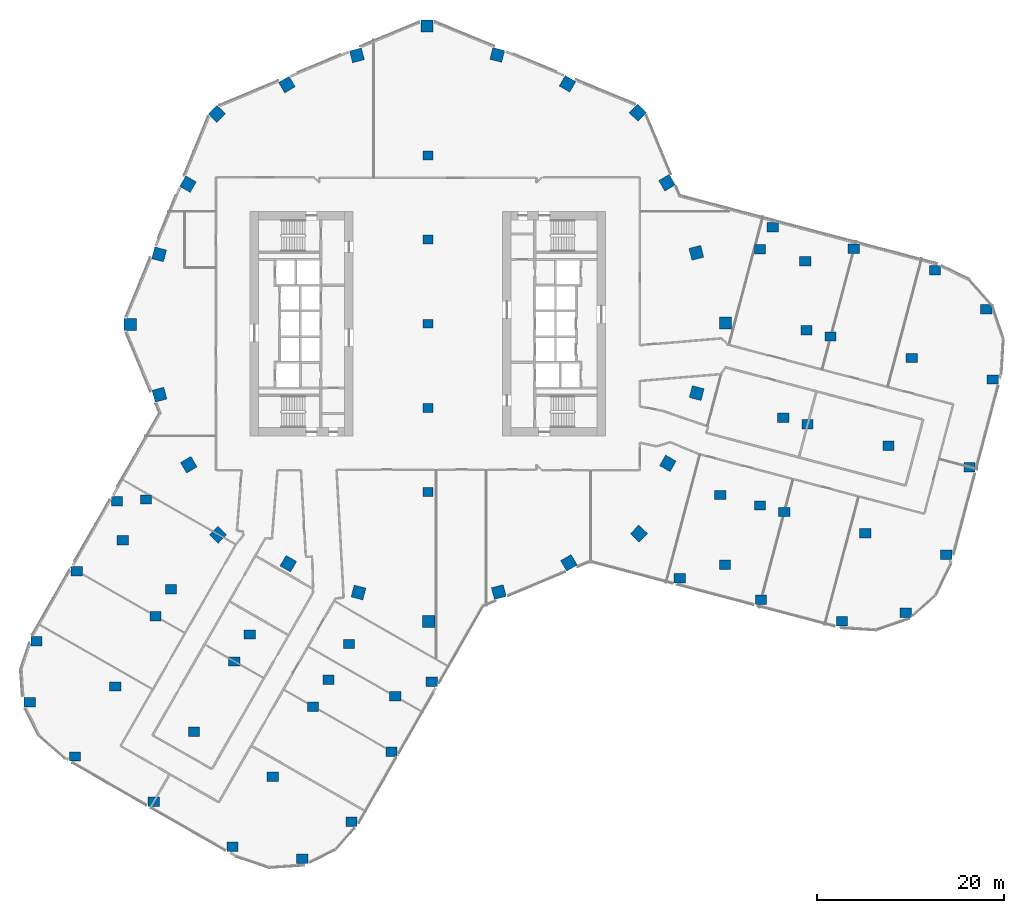
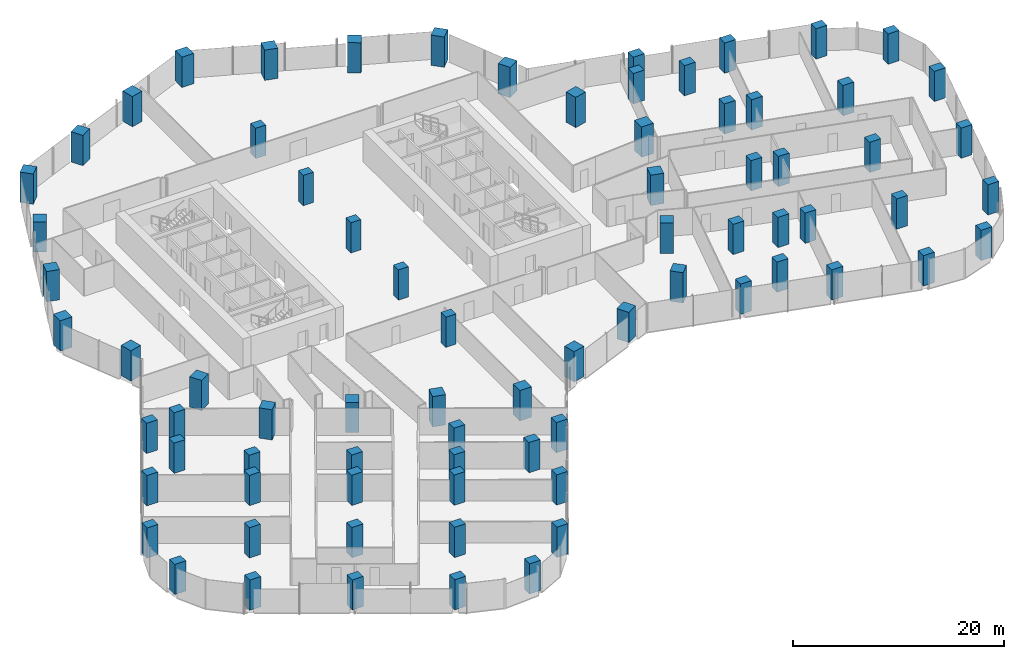
# One storey, part 1 of 35: 77 columns.
"""IFC4 building model written with IfcOpenShell, lengths in metres."""

from ifc_helpers import new_model, si_unit, direction, frame, origin, origin_2d, place, context, subcontext, project, spatial, rectangle, extrude, material, material_profile, profile_set, type_object, element, save


model = new_model("IFC4")

# Units and contexts
model_context = context("Model", 3, precision=1e-05, world=origin(), true_north=direction((0.0, 1.0)))
body_context = subcontext(model_context, "Body", "Model", "MODEL_VIEW")
ifc_project = project(units=[si_unit("LENGTHUNIT", "METRE"), si_unit("AREAUNIT", "SQUARE_METRE"), si_unit("VOLUMEUNIT", "CUBIC_METRE"), si_unit("PLANEANGLEUNIT", "RADIAN"), si_unit("MASSUNIT", "GRAM", prefix="KILO")], contexts=[model_context])

# Site, building, storey
site_placement = place(None, origin())
site = spatial("IfcSite", under=ifc_project, at=site_placement, CompositionType="ELEMENT")
building_placement = place(site_placement, origin())
building = spatial("IfcBuilding", under=site, at=building_placement, Name="Orlundy Tower", CompositionType="ELEMENT")
storey_placement = place(building_placement, frame((0.0, 0.0, 116.199951171875)))
storey = spatial("IfcBuildingStorey", under=building, at=storey_placement, Name="L29", CompositionType="ELEMENT", Elevation=116.199951171875)

# Columns
ifc_material_1 = material(Name="Concrete C80/95", Category="concrete")
ifc_material_profile_1 = material_profile(ifc_material_1, rectangle(XDim=1.10009765625, YDim=0.949951171875, at=origin_2d()), Name="RC1100X950")
ifc_profile_set_1 = profile_set([ifc_material_profile_1], Name="Concrete C80/95")
column_type_1 = type_object("IfcColumnType", Name="RC COLUMN RC1100X950 C80/95", PredefinedType="COLUMN", material=ifc_profile_set_1)
for number, where, z_axis, x_axis, name in (
    (1, (0.0, -18.0, 0.0), (0.0, 0.0, 1.0), (1.0, 0.0, 0.0), "Column C-M1 L29"),
    (2, (0.0, -9.0, 0.0), (0.0, 0.0, 1.0), (1.0, 0.0, 0.0), "Column C-M2 L29"),
    (3, (0.0, 0.0, 0.0), (0.0, 0.0, 1.0), (1.0, 0.0, 0.0), "Column C-M3 L29"),
    (4, (0.0, 9.0, 0.0), (0.0, 0.0, 1.0), (1.0, 0.0, 0.0), "Column C-M4 L29"),
    (5, (0.0, 18.0, 0.0), (0.0, 0.0, 1.0), (1.0, 0.0, 0.0), "Column C-M5 L29"),
):
    element("IfcColumn", number, at=place(storey_placement, frame(where, z_axis=z_axis, x_axis=x_axis)), inside=storey, type_object=column_type_1, Name=name, PredefinedType="COLUMN", context=body_context, shape_type="SweptSolid", body=[
        extrude(rectangle(XDim=1.10009765625, YDim=0.949951171875, at=origin_2d()), origin(), (0.0, 0.0, 1.0), 3.5),
    ])
ifc_material_2 = material(Name="Concrete C80/95", Category="concrete")
ifc_material_profile_2 = material_profile(ifc_material_2, rectangle(XDim=1.199951171875, YDim=1.0, at=origin_2d()), Name="RC1200X1000")
ifc_profile_set_2 = profile_set([ifc_material_profile_2], Name="Concrete C80/95")
column_type_2 = type_object("IfcColumnType", Name="RC COLUMN RC1200X1000 C80/95", PredefinedType="COLUMN", material=ifc_profile_set_2)
for number, where, z_axis, x_axis, name in (
    (6, (26.93408203125, -27.201904296875, 0.0), (0.0, 0.0, 1.0), (1.0, 0.0, 0.0), "Column C-A1-1 L29"),
    (7, (35.60205078125, -29.4970703125, 0.0), (0.0, 0.0, 1.0), (1.0, 0.0, 0.0), "Column C-A1-2 L29"),
    (8, (44.26904296875, -31.79296875, 0.0), (0.0, 0.0, 1.0), (1.0, 0.0, 0.0), "Column C-A1-3 L29"),
    (9, (51.0849609375, -30.90087890625, 0.0), (0.0, 0.0, 1.0), (1.0, 0.0, 0.0), "Column C-A1-5 L29"),
    (10, (31.7509765625, -25.781005859375, 0.0), (0.0, 0.0, 1.0), (1.0, 0.0, 0.0), "Column C-A1-6 L29"),
    (11, (38.0849609375, -20.12109375, 0.0), (0.0, 0.0, 1.0), (1.0, 0.0, 0.0), "Column C-A2-2 L29"),
    (12, (46.7529296875, -22.416015625, 0.0), (0.0, 0.0, 1.0), (1.0, 0.0, 0.0), "Column C-A2-3 L29"),
    (13, (55.4208984375, -24.7119140625, 0.0), (0.0, 0.0, 1.0), (1.0, 0.0, 0.0), "Column C-A2-5 L29"),
    (14, (35.507080078125, -19.43798828125, 0.0), (0.0, 0.0, 1.0), (1.0, 0.0, 0.0), "Column C-A2-6 L29"),
    (15, (31.25390625, -18.31103515625, 0.0), (0.0, 0.0, 1.0), (1.0, 0.0, 0.0), "Column C-A2-7 L29"),
    (16, (40.568115234375, -10.743896484375, 0.0), (0.0, 0.0, 1.0), (1.0, 0.0, 0.0), "Column C-A3-2 L29"),
    (17, (49.236083984375, -13.0390625, 0.0), (0.0, 0.0, 1.0), (1.0, 0.0, 0.0), "Column C-A3-3 L29"),
    (18, (57.904052734375, -15.3349609375, 0.0), (0.0, 0.0, 1.0), (1.0, 0.0, 0.0), "Column C-A3-5 L29"),
    (19, (37.989990234375, -10.06103515625, 0.0), (0.0, 0.0, 1.0), (1.0, 0.0, 0.0), "Column C-A3-6 L29"),
    (20, (43.051025390625, -1.366943359375, 0.0), (0.0, 0.0, 1.0), (1.0, 0.0, 0.0), "Column C-A4-2 L29"),
    (21, (51.718994140625, -3.6630859375, 0.0), (0.0, 0.0, 1.0), (1.0, 0.0, 0.0), "Column C-A4-3 L29"),
    (22, (60.386962890625, -5.9580078125, 0.0), (0.0, 0.0, 1.0), (1.0, 0.0, 0.0), "Column C-A4-5 L29"),
    (23, (40.47412109375, -0.68408203125, 0.0), (0.0, 0.0, 1.0), (1.0, 0.0, 0.0), "Column C-A4-6 L29"),
    (24, (36.866943359375, 10.304931640625, 0.0), (0.0, 0.0, 1.0), (1.0, 0.0, 0.0), "Column C-A5-1 L29"),
    (25, (45.534912109375, 8.010009765625, 0.0), (0.0, 0.0, 1.0), (1.0, 0.0, 0.0), "Column C-A5-2 L29"),
    (26, (54.202880859375, 5.714111328125, 0.0), (0.0, 0.0, 1.0), (1.0, 0.0, 0.0), "Column C-A5-3 L29"),
    (27, (59.68310546875, 1.56591796875, 0.0), (0.0, 0.0, 1.0), (1.0, 0.0, 0.0), "Column C-A5-5 L29"),
    (28, (40.35009765625, 6.68603515625, 0.0), (0.0, 0.0, 1.0), (1.0, 0.0, 0.0), "Column C-A5-6 L29"),
    (29, (35.51611328125, 7.966064453125, 0.0), (0.0, 0.0, 1.0), (1.0, 0.0, 0.0), "Column C-A5-7 L29"),
    (30, (-33.24609375, -18.97607421875, 0.0), (0.0, 0.0, 1.0), (1.0, 0.0, 0.0), "Column C-B1-1 L29"),
    (31, (-37.541015625, -26.465087890625, 0.0), (0.0, 0.0, 1.0), (1.0, 0.0, 0.0), "Column C-B1-2 L29"),
    (32, (-41.83203125, -33.9560546875, 0.0), (0.0, 0.0, 1.0), (1.0, 0.0, 0.0), "Column C-B1-3 L29"),
    (33, (-42.572021484375, -40.47900390625, 0.0), (0.0, 0.0, 1.0), (1.0, 0.0, 0.0), "Column C-B1-5 L29"),
    (34, (-32.623046875, -23.12890625, 0.0), (0.0, 0.0, 1.0), (1.0, 0.0, 0.0), "Column C-B1-6 L29"),
    (35, (-30.135009765625, -18.7919921875, 0.0), (0.0, 0.0, 1.0), (1.0, 0.0, 0.0), "Column C-B1-7 L29"),
    (36, (-29.1259765625, -31.2900390625, 0.0), (0.0, 0.0, 1.0), (1.0, 0.0, 0.0), "Column C-B2-2 L29"),
    (37, (-33.4208984375, -38.780029296875, 0.0), (0.0, 0.0, 1.0), (1.0, 0.0, 0.0), "Column C-B2-3 L29"),
    (38, (-37.716064453125, -46.26904296875, 0.0), (0.0, 0.0, 1.0), (1.0, 0.0, 0.0), "Column C-B2-5 L29"),
    (39, (-27.468017578125, -28.39892578125, 0.0), (0.0, 0.0, 1.0), (1.0, 0.0, 0.0), "Column C-B2-6 L29"),
    (40, (-20.7119140625, -36.115966796875, 0.0), (0.0, 0.0, 1.0), (1.0, 0.0, 0.0), "Column C-B3-2 L29"),
    (41, (-25.007080078125, -43.60498046875, 0.0), (0.0, 0.0, 1.0), (1.0, 0.0, 0.0), "Column C-B3-3 L29"),
    (42, (-29.301025390625, -51.093994140625, 0.0), (0.0, 0.0, 1.0), (1.0, 0.0, 0.0), "Column C-B3-5 L29"),
    (43, (-19.052978515625, -33.22412109375, 0.0), (0.0, 0.0, 1.0), (1.0, 0.0, 0.0), "Column C-B3-6 L29"),
    (44, (-12.297119140625, -40.94091796875, 0.0), (0.0, 0.0, 1.0), (1.0, 0.0, 0.0), "Column C-B4-2 L29"),
    (45, (-16.592041015625, -48.430908203125, 0.0), (0.0, 0.0, 1.0), (1.0, 0.0, 0.0), "Column C-B4-3 L29"),
    (46, (-20.886962890625, -55.919921875, 0.0), (0.0, 0.0, 1.0), (1.0, 0.0, 0.0), "Column C-B4-5 L29"),
    (47, (-10.638916015625, -38.050048828125, 0.0), (0.0, 0.0, 1.0), (1.0, 0.0, 0.0), "Column C-B4-6 L29"),
    (48, (-8.449951171875, -34.23291015625, 0.0), (0.0, 0.0, 1.0), (1.0, 0.0, 0.0), "Column C-B4-7 L29"),
    (49, (0.412109375, -38.278076171875, 0.0), (0.0, 0.0, 1.0), (1.0, 0.0, 0.0), "Column C-B5-1 L29"),
    (50, (-3.883056640625, -45.76708984375, 0.0), (0.0, 0.0, 1.0), (1.0, 0.0, 0.0), "Column C-B5-2 L29"),
    (51, (-8.180908203125, -53.25390625, 0.0), (0.0, 0.0, 1.0), (1.0, 0.0, 0.0), "Column C-B5-3 L29"),
    (52, (-13.43701171875, -57.18701171875, 0.0), (0.0, 0.0, 1.0), (1.0, 0.0, 0.0), "Column C-B5-5 L29"),
    (53, (-3.487060546875, -39.837890625, 0.0), (0.0, 0.0, 1.0), (1.0, 0.0, 0.0), "Column C-B5-6 L29"),
):
    element("IfcColumn", number, at=place(storey_placement, frame(where, z_axis=z_axis, x_axis=x_axis)), inside=storey, type_object=column_type_2, Name=name, PredefinedType="COLUMN", context=body_context, shape_type="SweptSolid", body=[
        extrude(rectangle(XDim=1.199951171875, YDim=1.0, at=origin_2d()), origin(), (0.0, 0.0, 1.0), 3.5),
    ])
ifc_material_3 = material(Name="Concrete C80/95", Category="concrete")
ifc_material_profile_3 = material_profile(ifc_material_3, rectangle(XDim=1.300048828125, YDim=1.300048828125, at=origin_2d()), Name="RC1300X1300")
ifc_profile_set_3 = profile_set([ifc_material_profile_3], Name="Concrete C80/95")
column_type_3 = type_object("IfcColumnType", Name="RC COLUMN RC1300X1300 C80/95", PredefinedType="COLUMN", material=ifc_profile_set_3)
for number, where, z_axis, x_axis, name in (
    (54, (22.43603515625, 22.56689453125, 0.0), (0.0, 0.0, 1.0), (0.705042776473, 0.709164778696, 0.0), "Column C-H01 L29"),
    (55, (25.56494140625, 15.075927734375, 0.0), (0.0, 0.0, 1.0), (0.86138102753, 0.507959373781, 0.0), "Column C-H02 L29"),
    (56, (28.694091796875, 7.583984375, 0.0), (0.0, 0.0, 1.0), (0.966801093075, 0.25553012822, 0.0), "Column C-H03 L29"),
    (57, (31.822021484375, 0.093017578125, 0.0), (0.0, 0.0, 1.0), (0.999995752265, 0.002914695724, 0.0), "Column C-H04 L29"),
    (58, (28.737060546875, -7.4169921875, 0.0), (0.0, 0.0, 1.0), (0.968269883519, -0.249906847984, 0.0), "Column C-H05 L29"),
    (59, (25.652099609375, -14.927001953125, 0.0), (0.0, 0.0, 1.0), (0.864318695434, -0.50294452251, 0.0), "Column C-H06 L29"),
    (60, (22.56689453125, -22.43603515625, 0.0), (0.0, 0.0, 1.0), (0.709164778696, -0.705042776473, 0.0), "Column C-H07 L29"),
    (61, (15.075927734375, -25.56494140625, 0.0), (0.0, 0.0, 1.0), (0.507959373781, -0.86138102753, 0.0), "Column C-H08 L29"),
    (62, (7.583984375, -28.694091796875, 0.0), (0.0, 0.0, 1.0), (0.25553012822, -0.966801093075, 0.0), "Column C-H09 L29"),
    (63, (0.093017578125, -31.822021484375, 0.0), (0.0, 0.0, 1.0), (0.002914695724, -0.999995752265, 0.0), "Column C-H10 L29"),
    (64, (-7.4169921875, -28.737060546875, 0.0), (0.0, 0.0, 1.0), (-0.249906847984, -0.968269883519, 0.0), "Column C-H11 L29"),
    (65, (-14.927001953125, -25.652099609375, 0.0), (0.0, 0.0, 1.0), (-0.50294452251, -0.864318695434, 0.0), "Column C-H12 L29"),
    (66, (-22.43603515625, -22.56689453125, 0.0), (0.0, 0.0, 1.0), (-0.705042776473, -0.709164778696, 0.0), "Column C-H13 L29"),
    (67, (-25.56494140625, -15.075927734375, 0.0), (0.0, 0.0, 1.0), (-0.86138102753, -0.507959373781, 0.0), "Column C-H14 L29"),
    (68, (-28.694091796875, -7.583984375, 0.0), (0.0, 0.0, 1.0), (-0.966801093075, -0.25553012822, 0.0), "Column C-H15 L29"),
    (69, (-31.822021484375, -0.093017578125, 0.0), (0.0, 0.0, 1.0), (-0.999995752265, -0.002914695724, 0.0), "Column C-H16 L29"),
    (70, (-28.737060546875, 7.4169921875, 0.0), (0.0, 0.0, 1.0), (-0.968269883519, 0.249906847984, 0.0), "Column C-H17 L29"),
    (71, (-25.652099609375, 14.927001953125, 0.0), (0.0, 0.0, 1.0), (-0.864318695434, 0.50294452251, 0.0), "Column C-H18 L29"),
    (72, (-22.56689453125, 22.43603515625, 0.0), (0.0, 0.0, 1.0), (-0.709164778696, 0.705042776473, 0.0), "Column C-H19 L29"),
    (73, (-15.075927734375, 25.56494140625, 0.0), (0.0, 0.0, 1.0), (-0.507959373781, 0.86138102753, 0.0), "Column C-H20 L29"),
    (74, (-7.583984375, 28.694091796875, 0.0), (0.0, 0.0, 1.0), (-0.25553012822, 0.966801093075, 0.0), "Column C-H21 L29"),
    (75, (-0.093017578125, 31.822021484375, 0.0), (0.0, 0.0, 1.0), (-0.002914695724, 0.999995752265, 0.0), "Column C-H22 L29"),
    (76, (7.4169921875, 28.737060546875, 0.0), (0.0, 0.0, 1.0), (0.249906847984, 0.968269883519, 0.0), "Column C-H23 L29"),
    (77, (14.927001953125, 25.652099609375, 0.0), (0.0, 0.0, 1.0), (0.50294452251, 0.864318695434, 0.0), "Column C-H24 L29"),
):
    element("IfcColumn", number, at=place(storey_placement, frame(where, z_axis=z_axis, x_axis=x_axis)), inside=storey, type_object=column_type_3, Name=name, PredefinedType="COLUMN", context=body_context, shape_type="SweptSolid", body=[
        extrude(rectangle(XDim=1.300048828125, YDim=1.300048828125, at=origin_2d()), origin(), (0.0, 0.0, 1.0), 3.5),
    ])

save(model, "model.ifc")
